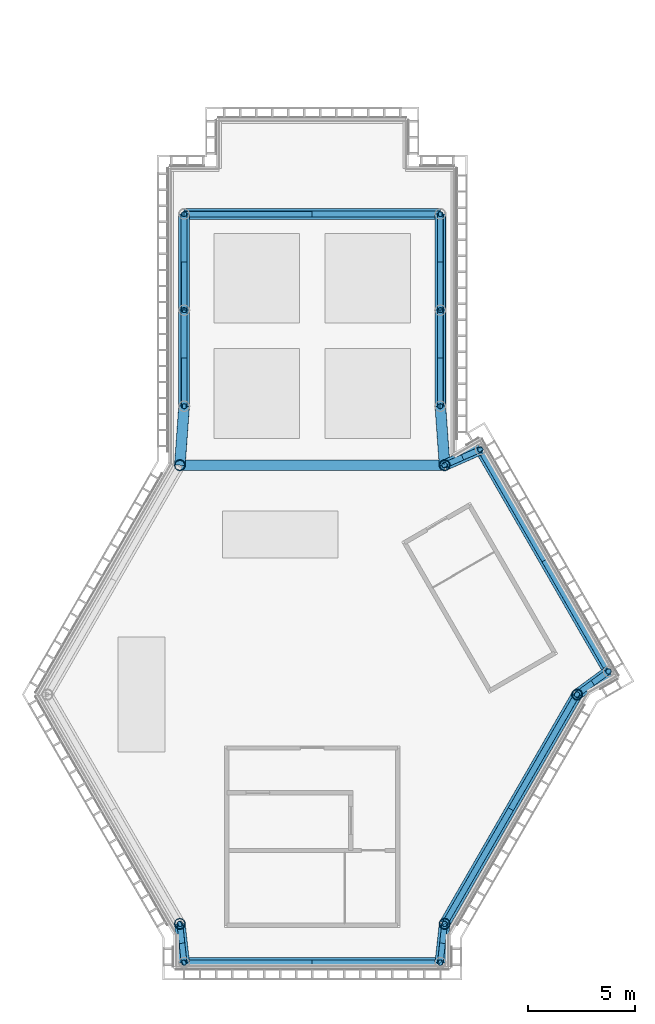
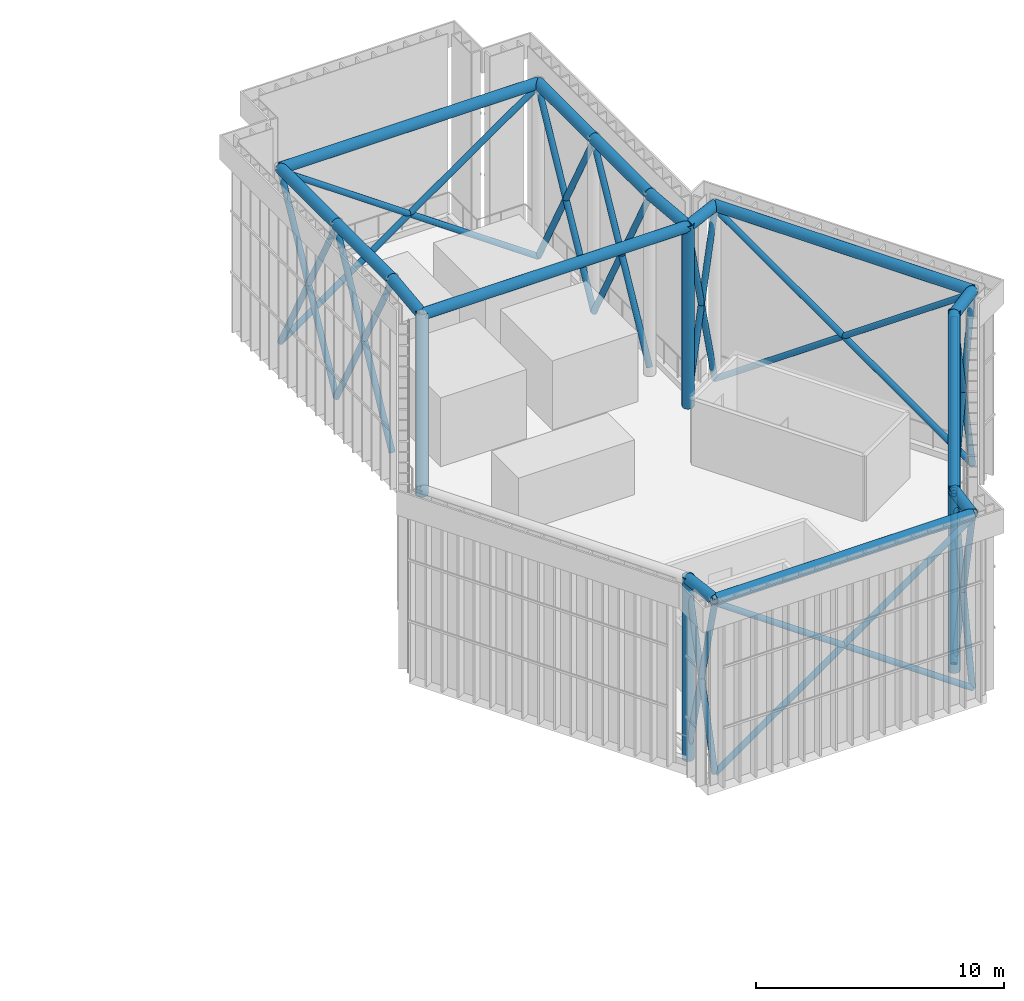
# One storey, part 6 of 17: 29 members, 15 beams.
"""IFC4 building model written with IfcOpenShell, lengths in metres."""

from ifc_helpers import new_model, si_unit, direction, frame, origin, origin_2d, place, context, subcontext, project, spatial, hollow_circle, extrude, material, material_profile, profile_set, type_object, element, save


model = new_model("IFC4")

# Units and contexts
model_context = context("Model", 3, precision=1e-05, world=origin(), true_north=direction((0.0, 1.0)))
body_context = subcontext(model_context, "Body", "Model", "MODEL_VIEW")
ifc_project = project(units=[si_unit("LENGTHUNIT", "METRE"), si_unit("AREAUNIT", "SQUARE_METRE"), si_unit("VOLUMEUNIT", "CUBIC_METRE"), si_unit("PLANEANGLEUNIT", "RADIAN"), si_unit("MASSUNIT", "GRAM", prefix="KILO")], contexts=[model_context])

# Site, building, storey
site_placement = place(None, origin())
site = spatial("IfcSite", under=ifc_project, at=site_placement, CompositionType="ELEMENT")
building_placement = place(site_placement, origin())
building = spatial("IfcBuilding", under=site, at=building_placement, Name="Upepo Twin Towers", CompositionType="ELEMENT")
storey_placement = place(building_placement, frame((0.0, 0.0, 296.5)))
storey = spatial("IfcBuildingStorey", under=building, at=storey_placement, Name="RF", CompositionType="ELEMENT", Elevation=296.5)

# Members
ifc_material_1 = material(Name="Steel S355", Category="steel")
ifc_material_profile_1 = material_profile(ifc_material_1, hollow_circle(Radius=0.136474609375, WallThickness=0.012451171875, at=origin_2d()), Name="CHS 273.0x12.5")
ifc_profile_set_1 = profile_set([ifc_material_profile_1], Name="Steel S355")
member_type_1 = type_object("IfcMemberType", Name="Crown frame brace CHS 273.0x12.5", PredefinedType="USERDEFINED", material=ifc_profile_set_1)
for number, where, z_axis, x_axis, name in (
    (1, (52.300048828125, -28.73876953125, 0.300048828125), (0.023258123336, -0.211651762181, 0.977068365707), (0.994016381141, 0.109231103737, 0.0), "T2 crown cross brace H2 to E180a"),
    (2, (52.5, -30.558349609375, 0.300048828125), (-0.023258123336, 0.211651762181, 0.977068365707), (-0.994016381141, -0.109231103737, 0.0), "T2 crown cross brace E180a to H2"),
):
    element("IfcMember", number, at=place(storey_placement, frame(where, z_axis=z_axis, x_axis=x_axis)), inside=storey, type_object=member_type_1, Name=name, ObjectType="CROWN FRAME", PredefinedType="USERDEFINED", context=body_context, shape_type="SweptSolid", body=[
        extrude(hollow_circle(Radius=0.136474609375, WallThickness=0.012451171875, at=origin_2d()), origin(), (0.0, 0.0, 1.0), 8.59716796875),
    ])
for number, where, z_axis, x_axis, name in (
    (3, (52.5, -30.558349609375, 0.300048828125), (0.819235052632, 0.0, 0.57345786989), (0.0, 1.0, 0.0), "T2 crown cross brace E180a to E180b"),
    (4, (64.5, -30.558349609375, 0.300048828125), (-0.819235052632, 0.0, 0.57345786989), (0.0, -1.0, 0.0), "T2 crown cross brace E180b to E180a"),
):
    element("IfcMember", number, at=place(storey_placement, frame(where, z_axis=z_axis, x_axis=x_axis)), inside=storey, type_object=member_type_1, Name=name, ObjectType="CROWN FRAME", PredefinedType="USERDEFINED", context=body_context, shape_type="SweptSolid", body=[
        extrude(hollow_circle(Radius=0.136474609375, WallThickness=0.012451171875, at=origin_2d()), origin(), (0.0, 0.0, 1.0), 14.647705078125),
    ])
for number, where, z_axis, x_axis, name in (
    (5, (64.5, -30.558349609375, 0.300048828125), (0.023258123336, 0.211651762181, 0.977068365707), (-0.994016381141, 0.109231103737, 0.0), "T2 crown cross brace E180b to H3"),
    (6, (64.699951171875, -28.73876953125, 0.300048828125), (-0.023258123336, -0.211651762181, 0.977068365707), (0.994016381141, -0.109231103737, 0.0), "T2 crown cross brace H3 to E180b"),
):
    element("IfcMember", number, at=place(storey_placement, frame(where, z_axis=z_axis, x_axis=x_axis)), inside=storey, type_object=member_type_1, Name=name, ObjectType="CROWN FRAME", PredefinedType="USERDEFINED", context=body_context, shape_type="SweptSolid", body=[
        extrude(hollow_circle(Radius=0.136474609375, WallThickness=0.012451171875, at=origin_2d()), origin(), (0.0, 0.0, 1.0), 8.59716796875),
    ])
for number, where, z_axis, x_axis, name in (
    (7, (64.699951171875, -28.73876953125, 0.300048828125), (0.413957077036, 0.717003976787, 0.560842968793), (-0.866028208143, 0.499995142677, 0.0), "T2 crown cross brace H3 to H4"),
    (8, (70.89990234375, -18.0, 0.300048828125), (-0.413957077036, -0.717003976787, 0.560842968793), (0.866028208143, -0.499995142677, 0.0), "T2 crown cross brace H4 to H3"),
):
    element("IfcMember", number, at=place(storey_placement, frame(where, z_axis=z_axis, x_axis=x_axis)), inside=storey, type_object=member_type_1, Name=name, ObjectType="CROWN FRAME", PredefinedType="USERDEFINED", context=body_context, shape_type="SweptSolid", body=[
        extrude(hollow_circle(Radius=0.136474609375, WallThickness=0.012451171875, at=origin_2d()), origin(), (0.0, 0.0, 1.0), 14.977294921875),
    ])
for number, where, z_axis, x_axis, name in (
    (9, (70.89990234375, -18.0, 0.300048828125), (0.171666951922, 0.125974292593, 0.977067518252), (-0.591623817565, 0.806214151755, 0.0), "T2 crown cross brace H4 to E300a"),
    (10, (72.375732421875, -16.9169921875, 0.300048828125), (-0.171666951922, -0.125974292593, 0.977067518252), (0.591623817565, -0.806214151755, 0.0), "T2 crown cross brace E300a to H4"),
):
    element("IfcMember", number, at=place(storey_placement, frame(where, z_axis=z_axis, x_axis=x_axis)), inside=storey, type_object=member_type_1, Name=name, ObjectType="CROWN FRAME", PredefinedType="USERDEFINED", context=body_context, shape_type="SweptSolid", body=[
        extrude(hollow_circle(Radius=0.136474609375, WallThickness=0.012451171875, at=origin_2d()), origin(), (0.0, 0.0, 1.0), 8.59716796875),
    ])
for number, where, z_axis, x_axis, name in (
    (11, (72.375732421875, -16.9169921875, 0.300048828125), (-0.409616948195, 0.709479355217, 0.57345706053), (-0.866026010844, -0.49999894854, 0.0), "T2 crown cross brace E300a to E300b"),
    (12, (66.375732421875, -6.524658203125, 0.300048828125), (0.409616948195, -0.709479355217, 0.57345706053), (0.866026010844, 0.49999894854, 0.0), "T2 crown cross brace E300b to E300a"),
):
    element("IfcMember", number, at=place(storey_placement, frame(where, z_axis=z_axis, x_axis=x_axis)), inside=storey, type_object=member_type_1, Name=name, ObjectType="CROWN FRAME", PredefinedType="USERDEFINED", context=body_context, shape_type="SweptSolid", body=[
        extrude(hollow_circle(Radius=0.136474609375, WallThickness=0.012451171875, at=origin_2d()), origin(), (0.0, 0.0, 1.0), 14.64794921875),
    ])
for number, where, z_axis, x_axis, name in (
    (13, (66.375732421875, -6.524658203125, 0.300048828125), (-0.194925317293, -0.085677401264, 0.977068832576), (0.402385486289, -0.91547032744, 0.0), "T2 crown cross brace E300b to H5"),
    (14, (64.699951171875, -7.26123046875, 0.300048828125), (0.194925317293, 0.085677401264, 0.977068832576), (-0.402385486289, 0.91547032744, 0.0), "T2 crown cross brace H5 to E300b"),
):
    element("IfcMember", number, at=place(storey_placement, frame(where, z_axis=z_axis, x_axis=x_axis)), inside=storey, type_object=member_type_1, Name=name, ObjectType="CROWN FRAME", PredefinedType="USERDEFINED", context=body_context, shape_type="SweptSolid", body=[
        extrude(hollow_circle(Radius=0.136474609375, WallThickness=0.012451171875, at=origin_2d()), origin(), (0.0, 0.0, 1.0), 8.596923828125),
    ])
for number, where, z_axis, x_axis, name in (
    (15, (52.5, -4.5, 0.300048828125), (0.0, 0.472225678258, 0.881477684796), (-1.0, 0.0, 0.0), "T2 crown cross brace AL135 to AL180"),
    (16, (52.5, 0.0, 0.300048828125), (0.0, -0.472225678258, 0.881477684796), (1.0, 0.0, 0.0), "T2 crown cross brace AL180 to AL135"),
    (17, (52.5, 0.0, 0.300048828125), (0.0, 0.472225678258, 0.881477684796), (-1.0, 0.0, 0.0), "T2 crown cross brace AL180 to AL225"),
    (18, (52.5, 4.5, 0.300048828125), (0.0, -0.472225678258, 0.881477684796), (1.0, 0.0, 0.0), "T2 crown cross brace AL225 to AL180"),
):
    element("IfcMember", number, at=place(storey_placement, frame(where, z_axis=z_axis, x_axis=x_axis)), inside=storey, type_object=member_type_1, Name=name, ObjectType="CROWN FRAME", PredefinedType="USERDEFINED", context=body_context, shape_type="SweptSolid", body=[
        extrude(hollow_circle(Radius=0.136474609375, WallThickness=0.012451171875, at=origin_2d()), origin(), (0.0, 0.0, 1.0), 9.529296875),
    ])
for number, where, z_axis, x_axis, name in (
    (19, (52.5, 4.5, 0.300048828125), (0.819235052632, 0.0, 0.57345786989), (0.0, 1.0, 0.0), "T2 crown cross brace AL225 to AR225"),
    (20, (64.5, 4.5, 0.300048828125), (-0.819235052632, 0.0, 0.57345786989), (0.0, -1.0, 0.0), "T2 crown cross brace AR225 to AL225"),
):
    element("IfcMember", number, at=place(storey_placement, frame(where, z_axis=z_axis, x_axis=x_axis)), inside=storey, type_object=member_type_1, Name=name, ObjectType="CROWN FRAME", PredefinedType="USERDEFINED", context=body_context, shape_type="SweptSolid", body=[
        extrude(hollow_circle(Radius=0.136474609375, WallThickness=0.012451171875, at=origin_2d()), origin(), (0.0, 0.0, 1.0), 14.647705078125),
    ])
for number, where, z_axis, x_axis, name in (
    (21, (64.5, 4.5, 0.300048828125), (0.0, -0.472225678258, 0.881477684796), (1.0, 0.0, 0.0), "T2 crown cross brace AR225 to AR180"),
    (22, (64.5, 0.0, 0.300048828125), (0.0, 0.472225678258, 0.881477684796), (-1.0, 0.0, 0.0), "T2 crown cross brace AR180 to AR225"),
    (23, (64.5, 0.0, 0.300048828125), (0.0, -0.472225678258, 0.881477684796), (1.0, 0.0, 0.0), "T2 crown cross brace AR180 to AR135"),
    (24, (64.5, -4.5, 0.300048828125), (0.0, 0.472225678258, 0.881477684796), (-1.0, 0.0, 0.0), "T2 crown cross brace AR135 to AR180"),
):
    element("IfcMember", number, at=place(storey_placement, frame(where, z_axis=z_axis, x_axis=x_axis)), inside=storey, type_object=member_type_1, Name=name, ObjectType="CROWN FRAME", PredefinedType="USERDEFINED", context=body_context, shape_type="SweptSolid", body=[
        extrude(hollow_circle(Radius=0.136474609375, WallThickness=0.012451171875, at=origin_2d()), origin(), (0.0, 0.0, 1.0), 9.529296875),
    ])
ifc_material_2 = material(Name="Steel S355", Category="steel")
ifc_material_profile_2 = material_profile(ifc_material_2, hollow_circle(Radius=0.25390625, WallThickness=0.02490234375, at=origin_2d()), Name="CHS 508.0x25.0")
ifc_profile_set_2 = profile_set([ifc_material_profile_2], Name="Steel S355")
member_type_2 = type_object("IfcMemberType", Name="Crown frame post CHS 508.0x25.0", PredefinedType="USERDEFINED", material=ifc_profile_set_2)
for number, where, z_axis, x_axis, name in (
    (25, (52.300048828125, -7.26123046875, 0.0), (0.0, 0.0, 1.0), (1.0, 0.0, 0.0), "T2 crown frame post H0"),
    (26, (52.300048828125, -28.73876953125, 0.0), (0.0, 0.0, 1.0), (1.0, 0.0, 0.0), "T2 crown frame post H2"),
    (27, (64.699951171875, -28.73876953125, 0.0), (0.0, 0.0, 1.0), (1.0, 0.0, 0.0), "T2 crown frame post H3"),
    (28, (70.89990234375, -18.0, 0.0), (0.0, 0.0, 1.0), (1.0, 0.0, 0.0), "T2 crown frame post H4"),
    (29, (64.699951171875, -7.26123046875, 0.0), (0.0, 0.0, 1.0), (1.0, 0.0, 0.0), "T2 crown frame post H5"),
):
    element("IfcMember", number, at=place(storey_placement, frame(where, z_axis=z_axis, x_axis=x_axis)), inside=storey, type_object=member_type_2, Name=name, ObjectType="CROWN FRAME", PredefinedType="USERDEFINED", context=body_context, shape_type="SweptSolid", body=[
        extrude(hollow_circle(Radius=0.25390625, WallThickness=0.02490234375, at=origin_2d()), origin(), (0.0, 0.0, 1.0), 9.0),
    ])

# Beams
ifc_material_3 = material(Name="Steel S355", Category="steel")
ifc_material_profile_3 = material_profile(ifc_material_3, hollow_circle(Radius=0.25390625, WallThickness=0.02490234375, at=origin_2d()), Name="CHS 508.0x25.0")
ifc_profile_set_3 = profile_set([ifc_material_profile_3], Name="Steel S355")
beam_type = type_object("IfcBeamType", Name="Crown frame ring beam CHS 508.0x25.0", PredefinedType="USERDEFINED", material=ifc_profile_set_3)
beam_1_placement = place(storey_placement, frame((52.300048828125, -28.73876953125, 8.85009765625), z_axis=(0.109231103737, -0.994016381141, 0.0), x_axis=(0.994016381141, 0.109231103737, 0.0)))
element("IfcBeam", 30, at=beam_1_placement, inside=storey, type_object=beam_type, Name="T2 crown ring H2-E180a", ObjectType="CROWN FRAME", PredefinedType="USERDEFINED", context=body_context, shape_type="SweptSolid", body=[
    extrude(hollow_circle(Radius=0.25390625, WallThickness=0.02490234375, at=origin_2d()), origin(), (0.0, 0.0, 1.0), 1.83056640625),
])
beam_2_placement = place(storey_placement, frame((52.5, -30.558349609375, 8.85009765625), z_axis=(1.0, 0.0, 0.0), x_axis=(0.0, 1.0, 0.0)))
element("IfcBeam", 31, at=beam_2_placement, inside=storey, type_object=beam_type, Name="T2 crown ring E180a-E180b", ObjectType="CROWN FRAME", PredefinedType="USERDEFINED", context=body_context, shape_type="SweptSolid", body=[
    extrude(hollow_circle(Radius=0.25390625, WallThickness=0.02490234375, at=origin_2d()), origin(), (0.0, 0.0, 1.0), 12.0),
])
beam_3_placement = place(storey_placement, frame((64.5, -30.558349609375, 8.85009765625), z_axis=(0.109231103737, 0.994016381141, 0.0), x_axis=(-0.994016381141, 0.109231103737, 0.0)))
element("IfcBeam", 32, at=beam_3_placement, inside=storey, type_object=beam_type, Name="T2 crown ring E180b-H3", ObjectType="CROWN FRAME", PredefinedType="USERDEFINED", context=body_context, shape_type="SweptSolid", body=[
    extrude(hollow_circle(Radius=0.25390625, WallThickness=0.02490234375, at=origin_2d()), origin(), (0.0, 0.0, 1.0), 1.83056640625),
])
beam_4_placement = place(storey_placement, frame((64.699951171875, -28.73876953125, 8.85009765625), z_axis=(0.499995142677, 0.866028208143, 0.0), x_axis=(-0.866028208143, 0.499995142677, 0.0)))
element("IfcBeam", 33, at=beam_4_placement, inside=storey, type_object=beam_type, Name="T2 crown ring H3-H4", ObjectType="CROWN FRAME", PredefinedType="USERDEFINED", context=body_context, shape_type="SweptSolid", body=[
    extrude(hollow_circle(Radius=0.25390625, WallThickness=0.02490234375, at=origin_2d()), origin(), (0.0, 0.0, 1.0), 12.39990234375),
])
beam_5_placement = place(storey_placement, frame((70.89990234375, -18.0, 8.85009765625), z_axis=(0.806214151755, 0.591623817565, 0.0), x_axis=(-0.591623817565, 0.806214151755, 0.0)))
element("IfcBeam", 34, at=beam_5_placement, inside=storey, type_object=beam_type, Name="T2 crown ring H4-E300a", ObjectType="CROWN FRAME", PredefinedType="USERDEFINED", context=body_context, shape_type="SweptSolid", body=[
    extrude(hollow_circle(Radius=0.25390625, WallThickness=0.02490234375, at=origin_2d()), origin(), (0.0, 0.0, 1.0), 1.83056640625),
])
beam_6_placement = place(storey_placement, frame((72.375732421875, -16.9169921875, 8.85009765625), z_axis=(-0.49999894854, 0.866026010844, 0.0), x_axis=(-0.866026010844, -0.49999894854, 0.0)))
element("IfcBeam", 35, at=beam_6_placement, inside=storey, type_object=beam_type, Name="T2 crown ring E300a-E300b", ObjectType="CROWN FRAME", PredefinedType="USERDEFINED", context=body_context, shape_type="SweptSolid", body=[
    extrude(hollow_circle(Radius=0.25390625, WallThickness=0.02490234375, at=origin_2d()), origin(), (0.0, 0.0, 1.0), 12.0),
])
beam_7_placement = place(storey_placement, frame((66.375732421875, -6.524658203125, 8.85009765625), z_axis=(-0.91547032744, -0.402385486289, 0.0), x_axis=(0.402385486289, -0.91547032744, 0.0)))
element("IfcBeam", 36, at=beam_7_placement, inside=storey, type_object=beam_type, Name="T2 crown ring E300b-H5", ObjectType="CROWN FRAME", PredefinedType="USERDEFINED", context=body_context, shape_type="SweptSolid", body=[
    extrude(hollow_circle(Radius=0.25390625, WallThickness=0.02490234375, at=origin_2d()), origin(), (0.0, 0.0, 1.0), 1.83056640625),
])
beam_8_placement = place(storey_placement, frame((64.699951171875, -7.26123046875, 8.85009765625), z_axis=(-1.0, 0.0, 0.0), x_axis=(0.0, -1.0, 0.0)))
element("IfcBeam", 37, at=beam_8_placement, inside=storey, type_object=beam_type, Name="T2 crown ring H5-H0", ObjectType="CROWN FRAME", PredefinedType="USERDEFINED", context=body_context, shape_type="SweptSolid", body=[
    extrude(hollow_circle(Radius=0.25390625, WallThickness=0.02490234375, at=origin_2d()), origin(), (0.0, 0.0, 1.0), 12.39990234375),
])
for number, where, z_axis, x_axis, name in (
    (38, (52.5, -4.5, 8.85009765625), (0.0, 1.0, 0.0), (-1.0, 0.0, 0.0), "T2 crown ring AL135-AL180"),
    (39, (52.5, 0.0, 8.85009765625), (0.0, 1.0, 0.0), (-1.0, 0.0, 0.0), "T2 crown ring AL180-AL225"),
):
    element("IfcBeam", number, at=place(storey_placement, frame(where, z_axis=z_axis, x_axis=x_axis)), inside=storey, type_object=beam_type, Name=name, ObjectType="CROWN FRAME", PredefinedType="USERDEFINED", context=body_context, shape_type="SweptSolid", body=[
        extrude(hollow_circle(Radius=0.25390625, WallThickness=0.02490234375, at=origin_2d()), origin(), (0.0, 0.0, 1.0), 4.5),
    ])
beam_9_placement = place(storey_placement, frame((52.5, 4.5, 8.85009765625), z_axis=(1.0, 0.0, 0.0), x_axis=(0.0, 1.0, 0.0)))
element("IfcBeam", 40, at=beam_9_placement, inside=storey, type_object=beam_type, Name="T2 crown ring AL225-AR225", ObjectType="CROWN FRAME", PredefinedType="USERDEFINED", context=body_context, shape_type="SweptSolid", body=[
    extrude(hollow_circle(Radius=0.25390625, WallThickness=0.02490234375, at=origin_2d()), origin(), (0.0, 0.0, 1.0), 12.0),
])
for number, where, z_axis, x_axis, name in (
    (41, (64.5, 4.5, 8.85009765625), (0.0, -1.0, 0.0), (1.0, 0.0, 0.0), "T2 crown ring AR225-AR180"),
    (42, (64.5, 0.0, 8.85009765625), (0.0, -1.0, 0.0), (1.0, 0.0, 0.0), "T2 crown ring AR180-AR135"),
):
    element("IfcBeam", number, at=place(storey_placement, frame(where, z_axis=z_axis, x_axis=x_axis)), inside=storey, type_object=beam_type, Name=name, ObjectType="CROWN FRAME", PredefinedType="USERDEFINED", context=body_context, shape_type="SweptSolid", body=[
        extrude(hollow_circle(Radius=0.25390625, WallThickness=0.02490234375, at=origin_2d()), origin(), (0.0, 0.0, 1.0), 4.5),
    ])
for number, where, z_axis, x_axis, name in (
    (43, (52.300048828125, -7.26123046875, 8.85009765625), (0.072224676358, 0.997388387803, 0.0), (-0.997388387803, 0.072224676358, 0.0), "T2 crown ring H0-AL135"),
    (44, (64.699951171875, -7.26123046875, 8.85009765625), (-0.072224676358, 0.997388387803, 0.0), (-0.997388387803, -0.072224676358, 0.0), "T2 crown ring H5-AR135"),
):
    element("IfcBeam", number, at=place(storey_placement, frame(where, z_axis=z_axis, x_axis=x_axis)), inside=storey, type_object=beam_type, Name=name, ObjectType="CROWN FRAME", PredefinedType="USERDEFINED", context=body_context, shape_type="SweptSolid", body=[
        extrude(hollow_circle(Radius=0.25390625, WallThickness=0.02490234375, at=origin_2d()), origin(), (0.0, 0.0, 1.0), 2.7685546875),
    ])

save(model, "model.ifc")
